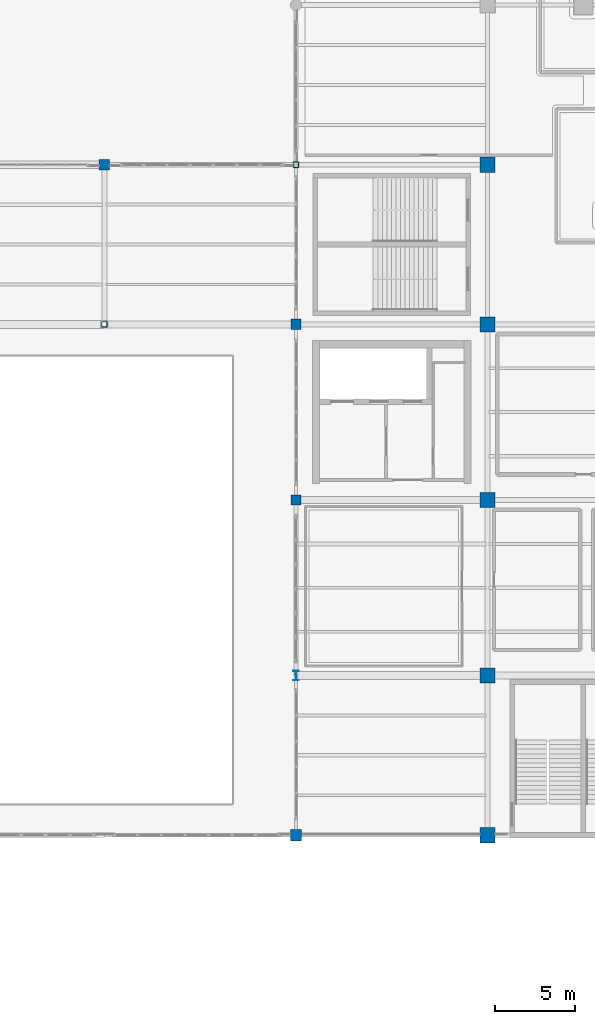
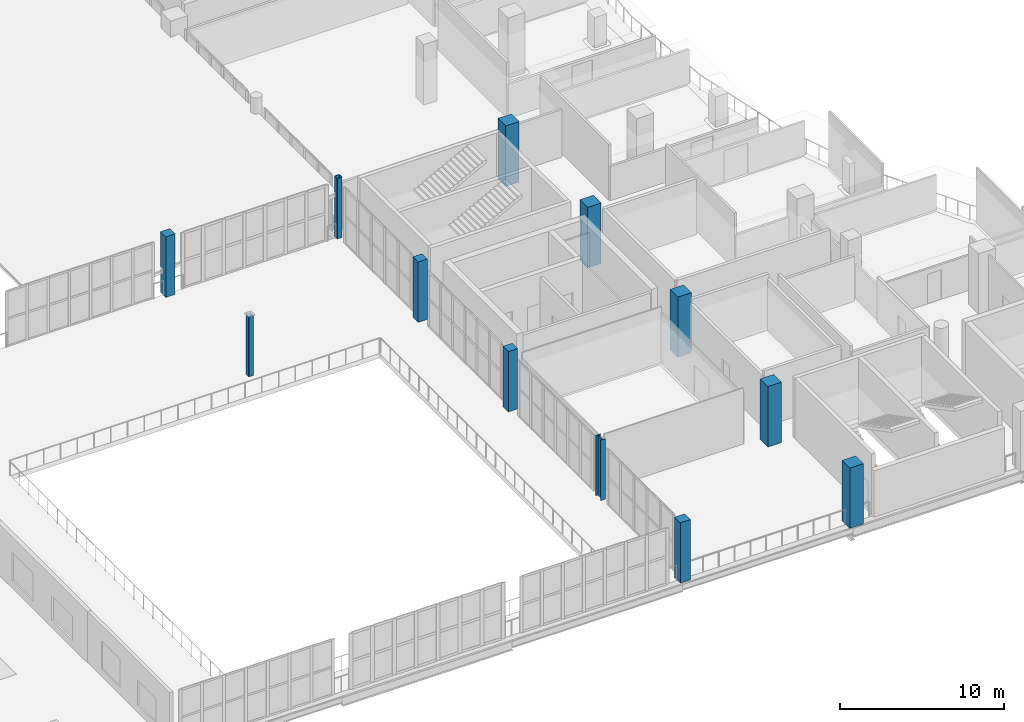
# One storey, part 1 of 90: 12 columns.
"""IFC4 building model written with IfcOpenShell, lengths in metres."""

from ifc_helpers import new_model, si_unit, direction, frame, origin, origin_2d, place, context, subcontext, project, spatial, rectangle, hollow_rectangle, i_section, extrude, material, material_profile, profile_set, type_object, element, save


model = new_model("IFC4")

# Units and contexts
model_context = context("Model", 3, precision=1e-05, world=origin(), true_north=direction((0.0, 1.0)))
body_context = subcontext(model_context, "Body", "Model", "MODEL_VIEW")
ifc_project = project(units=[si_unit("LENGTHUNIT", "METRE"), si_unit("AREAUNIT", "SQUARE_METRE"), si_unit("VOLUMEUNIT", "CUBIC_METRE"), si_unit("PLANEANGLEUNIT", "RADIAN"), si_unit("MASSUNIT", "GRAM", prefix="KILO")], contexts=[model_context])

# Site, building, storey
site_placement = place(None, origin())
site = spatial("IfcSite", under=ifc_project, at=site_placement, CompositionType="ELEMENT")
building_placement = place(site_placement, origin())
building = spatial("IfcBuilding", under=site, at=building_placement, Name="Brinegate Civic Arena", CompositionType="ELEMENT")
storey_placement = place(building_placement, frame((0.0, 0.0, 14.699951171875)))
storey = spatial("IfcBuildingStorey", under=building, at=storey_placement, Name="L03", CompositionType="ELEMENT", Elevation=14.699951171875)

# Columns
ifc_material_1 = material(Name="Concrete C50/60", Category="concrete")
ifc_material_profile_1 = material_profile(ifc_material_1, rectangle(XDim=0.949951171875, YDim=0.949951171875, at=origin_2d()), Name="RC950X950")
ifc_profile_set_1 = profile_set([ifc_material_profile_1], Name="Concrete C50/60")
column_type_1 = type_object("IfcColumnType", Name="COL-CC04-950", PredefinedType="COLUMN", material=ifc_profile_set_1)
for number, where, z_axis, x_axis, name in (
    (1, (60.0, 10.0, 0.0), (0.0, 0.0, 1.0), (1.0, 0.0, 0.0), "Column COL-L03-6-B"),
    (2, (60.0, 20.0, 0.0), (0.0, 0.0, 1.0), (1.0, 0.0, 0.0), "Column COL-L03-6-C"),
    (3, (60.0, 31.0, 0.0), (0.0, 0.0, 1.0), (1.0, 0.0, 0.0), "Column COL-L03-6-D"),
    (4, (60.0, 42.0, 0.0), (0.0, 0.0, 1.0), (1.0, 0.0, 0.0), "Column COL-L03-6-E"),
    (5, (60.0, 52.0, 0.0), (0.0, 0.0, 1.0), (1.0, 0.0, 0.0), "Column COL-L03-6-F"),
):
    element("IfcColumn", number, at=place(storey_placement, frame(where, z_axis=z_axis, x_axis=x_axis)), inside=storey, type_object=column_type_1, Name=name, PredefinedType="COLUMN", context=body_context, shape_type="SweptSolid", body=[
        extrude(rectangle(XDim=0.949951171875, YDim=0.949951171875, at=origin_2d()), origin(), (0.0, 0.0, 1.0), 4.5),
    ])
ifc_material_profile_2 = material_profile(ifc_material_1, rectangle(XDim=0.699951171875, YDim=0.699951171875, at=origin_2d()), Name="RC700X700")
ifc_profile_set_2 = profile_set([ifc_material_profile_2], Name="Concrete C50/60")
column_type_2 = type_object("IfcColumnType", Name="COL-CC09-700", PredefinedType="COLUMN", material=ifc_profile_set_2)
column_1_placement = place(storey_placement, frame((48.0, 10.0, 0.0), z_axis=(0.0, 0.0, 1.0), x_axis=(1.0, 0.0, 0.0)))
element("IfcColumn", 6, at=column_1_placement, inside=storey, type_object=column_type_2, Name="Column COL-L03-5-B", PredefinedType="COLUMN", context=body_context, shape_type="SweptSolid", body=[
    extrude(rectangle(XDim=0.699951171875, YDim=0.699951171875, at=origin_2d()), origin(), (0.0, 0.0, 1.0), 4.5),
])
ifc_material_profile_3 = material_profile(ifc_material_1, rectangle(XDim=0.64990234375, YDim=0.64990234375, at=origin_2d()), Name="RC650X650")
ifc_profile_set_3 = profile_set([ifc_material_profile_3], Name="Concrete C50/60")
column_type_3 = type_object("IfcColumnType", Name="COL-CC10-650", PredefinedType="COLUMN", material=ifc_profile_set_3)
for number, where, z_axis, x_axis, name in (
    (7, (36.0, 52.0, 0.0), (0.0, 0.0, 1.0), (1.0, 0.0, 0.0), "Column COL-L03-4-F"),
    (8, (48.0, 31.0, 0.0), (0.0, 0.0, 1.0), (1.0, 0.0, 0.0), "Column COL-L03-5-D"),
    (9, (48.0, 42.0, 0.0), (0.0, 0.0, 1.0), (1.0, 0.0, 0.0), "Column COL-L03-5-E"),
):
    element("IfcColumn", number, at=place(storey_placement, frame(where, z_axis=z_axis, x_axis=x_axis)), inside=storey, type_object=column_type_3, Name=name, PredefinedType="COLUMN", context=body_context, shape_type="SweptSolid", body=[
        extrude(rectangle(XDim=0.64990234375, YDim=0.64990234375, at=origin_2d()), origin(), (0.0, 0.0, 1.0), 4.5),
    ])
ifc_material_2 = material(Name="Steel S355", Category="steel")
ifc_material_profile_4 = material_profile(ifc_material_2, i_section(OverallWidth=0.323974609375, OverallDepth=0.611083984375, WebThickness=0.012939453125, FlangeThickness=0.01904296875, FilletRadius=0.01611328125, at=origin_2d()), Name="W610X155")
ifc_profile_set_4 = profile_set([ifc_material_profile_4], Name="Steel S355")
column_type_4 = type_object("IfcColumnType", Name="COL-SC01-W610", PredefinedType="COLUMN", material=ifc_profile_set_4)
column_2_placement = place(storey_placement, frame((48.0, 20.0, 0.0), z_axis=(0.0, 0.0, 1.0), x_axis=(1.0, 0.0, 0.0)))
element("IfcColumn", 10, at=column_2_placement, inside=storey, type_object=column_type_4, Name="Column COL-L03-5-C", PredefinedType="COLUMN", context=body_context, shape_type="SweptSolid", body=[
    extrude(i_section(OverallWidth=0.323974609375, OverallDepth=0.611083984375, WebThickness=0.012939453125, FlangeThickness=0.01904296875, FilletRadius=0.01611328125, at=origin_2d()), origin(), (0.0, 0.0, 1.0), 4.5),
])
ifc_material_profile_5 = material_profile(ifc_material_2, hollow_rectangle(XDim=0.35009765625, YDim=0.35009765625, WallThickness=0.01611328125, InnerFilletRadius=0.01611328125, OuterFilletRadius=0.031982421875, at=origin_2d()), Name="SHS350X16")
ifc_profile_set_5 = profile_set([ifc_material_profile_5], Name="Steel S355")
column_type_5 = type_object("IfcColumnType", Name="COL-SC04-SHS350", PredefinedType="COLUMN", material=ifc_profile_set_5)
for number, where, z_axis, x_axis, name in (
    (11, (36.0, 42.0, 0.0), (0.0, 0.0, 1.0), (1.0, 0.0, 0.0), "Column COL-L03-4-E"),
    (12, (48.0, 52.0, 0.0), (0.0, 0.0, 1.0), (1.0, 0.0, 0.0), "Column COL-L03-5-F"),
):
    element("IfcColumn", number, at=place(storey_placement, frame(where, z_axis=z_axis, x_axis=x_axis)), inside=storey, type_object=column_type_5, Name=name, PredefinedType="COLUMN", context=body_context, shape_type="SweptSolid", body=[
        extrude(hollow_rectangle(XDim=0.35009765625, YDim=0.35009765625, WallThickness=0.01611328125, InnerFilletRadius=0.01611328125, OuterFilletRadius=0.031982421875, at=origin_2d()), origin(), (0.0, 0.0, 1.0), 4.5),
    ])

save(model, "model.ifc")
